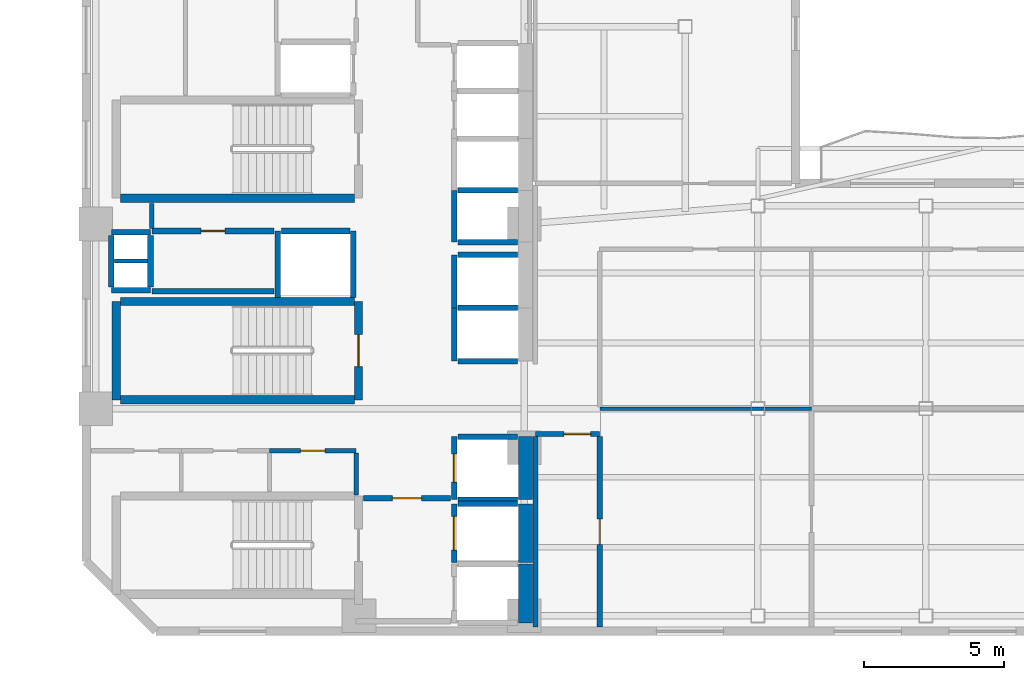
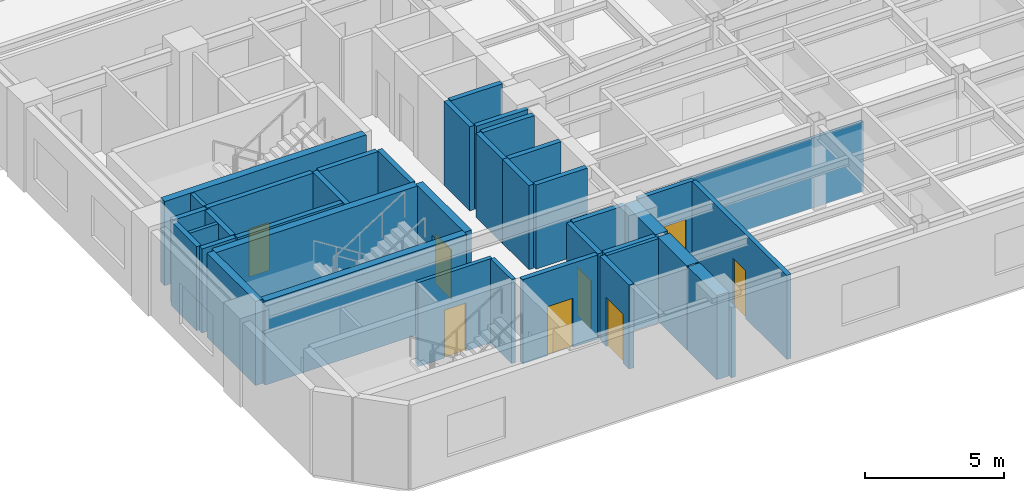
# One storey, part 3 of 9: 39 walls, 8 doors, 8 openings.
"""IFC4 building model written with IfcOpenShell, lengths in metres."""

from ifc_helpers import new_model, si_unit, direction, frame, frame_2d, origin, place, context, subcontext, project, spatial, rectangle, extrude, material, layer, layer_set, type_object, element, fill, save


model = new_model("IFC4")

# Units and contexts
model_context = context("Model", 3, precision=1e-05, world=origin(), true_north=direction((0.0, 1.0)))
body_context = subcontext(model_context, "Body", "Model", "MODEL_VIEW")
ifc_project = project(units=[si_unit("LENGTHUNIT", "METRE"), si_unit("AREAUNIT", "SQUARE_METRE"), si_unit("VOLUMEUNIT", "CUBIC_METRE"), si_unit("PLANEANGLEUNIT", "RADIAN"), si_unit("MASSUNIT", "GRAM", prefix="KILO")], contexts=[model_context])

# Site, building, storey
site_placement = place(None, origin())
site = spatial("IfcSite", under=ifc_project, at=site_placement, CompositionType="ELEMENT")
building_placement = place(site_placement, origin())
building = spatial("IfcBuilding", under=site, at=building_placement, Name="Mawjaban Terraces University", CompositionType="ELEMENT")
storey_placement = place(building_placement, frame((0.0, 0.0, 130.699951171875)))
storey = spatial("IfcBuildingStorey", under=building, at=storey_placement, Name="L31", CompositionType="ELEMENT", Elevation=130.699951171875)

# Wall, opening, door
ifc_material_1 = material(Name="Acoustic masonry blockwork", Category="masonry")
ifc_layer_1 = layer(ifc_material_1, 0.179931640625)
ifc_layer_set_1 = layer_set([ifc_layer_1], Name="Acoustic masonry blockwork")
wall_type_1 = type_object("IfcWallType", Name="AcousticStudioWall_180", PredefinedType="PARTITIONING", material=ifc_layer_set_1)
wall_1_placement = place(storey_placement, frame((38.050048828125, 7.050048828125, 0.0), z_axis=(0.0, 0.0, 1.0), x_axis=(1.0, 0.0, 0.0)))
wall_1 = element("IfcWall", 1, at=wall_1_placement, inside=storey, type_object=wall_type_1, Name="L31 Inner Gallery Link Corridor Partition 15", PredefinedType="PARTITIONING", context=body_context, shape_type="SweptSolid", body=[
    extrude(rectangle(XDim=2.300048828125, YDim=0.179931640625, at=frame_2d((1.14990234375, 0.0))), origin(), (0.0, 0.0, 1.0), 3.68994140625),
])
opening_1_placement = place(wall_1_placement, frame((1.02490234375, 0.0, 0.0)))
opening_1 = element("IfcOpeningElement", 2, at=opening_1_placement, cuts=wall_1, Name="Opening ID-095", PredefinedType="OPENING", context=body_context, shape_type="SweptSolid", body=[
    extrude(rectangle(XDim=0.949951171875, YDim=2.10009765625, at=frame_2d((0.47509765625, 1.050048828125))), frame((0.0, 0.099853515625, 0.0), z_axis=(0.0, -1.0, 0.0), x_axis=(1.0, 0.0, 0.0)), (0.0, 0.0, 1.0), 0.199951171875),
])
ifc_material_2 = material(Name="Powder-coated steel frame and solid acoustic timber leaf", Category="steel")
door_type_1 = type_object("IfcDoorType", Name="StudioDoor_950x2100", OperationType="NOTDEFINED", PredefinedType="DOOR", material=ifc_material_2)
door_1_placement = place(opening_1_placement, origin())
door_1 = element("IfcDoor", 3, at=door_1_placement, inside=storey, type_object=door_type_1, Name="L31 Media Workshop 1 Door", OperationType="SINGLE_SWING_LEFT", OverallHeight=2.10009765625, OverallWidth=0.949951171875, PredefinedType="DOOR", context=body_context, shape_type="SweptSolid", body=[
    extrude(rectangle(XDim=0.949951171875, YDim=2.10009765625, at=frame_2d((0.47509765625, 1.050048828125))), frame((0.0, 0.02490234375, 0.0), z_axis=(0.0, -1.0, 0.0), x_axis=(1.0, 0.0, 0.0)), (0.0, 0.0, 1.0), 0.050048828125),
])
fill(opening_1, door_1)

# Wall
wall_2_placement = place(storey_placement, frame((38.050048828125, 6.965087890625, 0.0), z_axis=(0.0, 0.0, 1.0), x_axis=(0.0, -1.0, 0.0)))
element("IfcWall", 4, at=wall_2_placement, inside=storey, type_object=wall_type_1, Name="L31 Media Workshop 1 Partition 39", PredefinedType="PARTITIONING", context=body_context, shape_type="SweptSolid", body=[
    extrude(rectangle(XDim=6.820068359375, YDim=0.179931640625, at=frame_2d((3.41015625, 0.0))), origin(), (0.0, 0.0, 1.0), 3.072998046875),
])

# Wall, opening, door
wall_3_placement = place(storey_placement, frame((40.35009765625, 0.14501953125, 0.0), z_axis=(0.0, 0.0, 1.0), x_axis=(0.0, 1.0, 0.0)))
wall_3 = element("IfcWall", 5, at=wall_3_placement, inside=storey, type_object=wall_type_1, Name="L31 Media Workshop 1 Partition 42", PredefinedType="PARTITIONING", context=body_context, shape_type="SweptSolid", body=[
    extrude(rectangle(XDim=6.820068359375, YDim=0.179931640625, at=frame_2d((3.41015625, 0.0))), origin(), (0.0, 0.0, 1.0), 3.68994140625),
])
opening_2_placement = place(wall_3_placement, frame((2.9599609375, 0.0, 0.0)))
opening_2 = element("IfcOpeningElement", 6, at=opening_2_placement, cuts=wall_3, Name="Opening ID-090", PredefinedType="OPENING", context=body_context, shape_type="SweptSolid", body=[
    extrude(rectangle(XDim=0.89990234375, YDim=2.10009765625, at=frame_2d((0.449951171875, 1.050048828125))), frame((0.0, 0.099853515625, 0.0), z_axis=(0.0, -1.0, 0.0), x_axis=(1.0, 0.0, 0.0)), (0.0, 0.0, 1.0), 0.199951171875),
])
door_type_2 = type_object("IfcDoorType", Name="OfficeDoor_900x2100", OperationType="NOTDEFINED", PredefinedType="DOOR", material=ifc_material_2)
door_2_placement = place(opening_2_placement, origin())
door_2 = element("IfcDoor", 7, at=door_2_placement, inside=storey, type_object=door_type_2, Name="L31 Quiet Reading Room 2 Door", OperationType="SINGLE_SWING_RIGHT", OverallHeight=2.10009765625, OverallWidth=0.89990234375, PredefinedType="DOOR", context=body_context, shape_type="SweptSolid", body=[
    extrude(rectangle(XDim=0.89990234375, YDim=2.10009765625, at=frame_2d((0.449951171875, 1.050048828125))), frame((0.0, 0.02490234375, 0.0), z_axis=(0.0, -1.0, 0.0), x_axis=(1.0, 0.0, 0.0)), (0.0, 0.0, 1.0), 0.050048828125),
])
fill(opening_2, door_2)

# Walls
ifc_material_3 = material(Name="Concrete C60/75", Category="concrete")
ifc_layer_2 = layer(ifc_material_3, 0.5)
ifc_layer_set_2 = layer_set([ifc_layer_2], Name="Concrete C60/75")
wall_type_2 = type_object("IfcWallType", Name="CoreShearWall_500", PredefinedType="SHEAR", material=ifc_layer_set_2)
wall_4_placement = place(storey_placement, frame((37.699951171875, 0.300048828125, 0.0), z_axis=(0.0, 0.0, 1.0), x_axis=(0.0, 1.0, 0.0)))
element("IfcWall", 8, at=wall_4_placement, inside=storey, type_object=wall_type_2, Name="L31 Lift FL-1 Hoistway Wall East", PredefinedType="SHEAR", context=body_context, shape_type="SweptSolid", body=[
    extrude(rectangle(XDim=2.099853515625, YDim=0.5, at=frame_2d((1.0498046875, 0.0))), origin(), (0.0, 0.0, 1.0), 3.68994140625),
])
wall_5_placement = place(storey_placement, frame((37.699951171875, 2.449951171875, 0.0), z_axis=(0.0, 0.0, 1.0), x_axis=(0.0, 1.0, 0.0)))
element("IfcWall", 9, at=wall_5_placement, inside=storey, type_object=wall_type_2, Name="L31 Lift FL-2 Hoistway Wall East", PredefinedType="SHEAR", context=body_context, shape_type="SweptSolid", body=[
    extrude(rectangle(XDim=2.10009765625, YDim=0.5, at=frame_2d((1.050048828125, 0.0))), origin(), (0.0, 0.0, 1.0), 3.68994140625),
])
wall_6_placement = place(storey_placement, frame((37.699951171875, 4.699951171875, 0.0), z_axis=(0.0, 0.0, 1.0), x_axis=(0.0, 1.0, 0.0)))
element("IfcWall", 10, at=wall_6_placement, inside=storey, type_object=wall_type_2, Name="L31 Lift SL-1 Hoistway Wall East", PredefinedType="SHEAR", context=body_context, shape_type="SweptSolid", body=[
    extrude(rectangle(XDim=2.25, YDim=0.5, at=frame_2d((1.125, 0.0))), origin(), (0.0, 0.0, 1.0), 3.68994140625),
])

# Wall, opening, door
ifc_material_4 = material(Name="Fire-rated gypsum board on steel stud", Category="steel")
ifc_layer_3 = layer(ifc_material_4, 0.159912109375)
ifc_layer_set_3 = layer_set([ifc_layer_3], Name="Fire-rated gypsum board on steel stud")
wall_type_3 = type_object("IfcWallType", Name="CorridorPartition_160", PredefinedType="PARTITIONING", material=ifc_layer_set_3)
wall_7_placement = place(storey_placement, frame((28.550048828125, 6.449951171875, 0.0), z_axis=(0.0, 0.0, 1.0), x_axis=(1.0, 0.0, 0.0)))
wall_7 = element("IfcWall", 11, at=wall_7_placement, inside=storey, type_object=wall_type_3, Name="L31 Core Washroom Lobby Partition 6", PredefinedType="PARTITIONING", context=body_context, shape_type="SweptSolid", body=[
    extrude(rectangle(XDim=3.099853515625, YDim=0.159912109375, at=frame_2d((1.5498046875, 0.0))), origin(), (0.0, 0.0, 1.0), 3.68994140625),
])
opening_3_placement = place(wall_7_placement, frame((1.110107421875, 0.0, 0.0)))
opening_3 = element("IfcOpeningElement", 12, at=opening_3_placement, cuts=wall_7, Name="Opening ID-088", PredefinedType="OPENING", context=body_context, shape_type="SweptSolid", body=[
    extrude(rectangle(XDim=0.8798828125, YDim=2.10009765625, at=frame_2d((0.43994140625, 1.050048828125))), frame((0.0, 0.08984375, 0.0), z_axis=(0.0, -1.0, 0.0), x_axis=(1.0, 0.0, 0.0)), (0.0, 0.0, 1.0), 0.179931640625),
])
door_type_3 = type_object("IfcDoorType", Name="ToiletDoor_880x2100", OperationType="NOTDEFINED", PredefinedType="DOOR", material=ifc_material_2)
door_3_placement = place(opening_3_placement, origin())
door_3 = element("IfcDoor", 13, at=door_3_placement, inside=storey, type_object=door_type_3, Name="L31 Accessible Toilet Door", OperationType="SINGLE_SWING_LEFT", OverallHeight=2.10009765625, OverallWidth=0.8798828125, PredefinedType="DOOR", context=body_context, shape_type="SweptSolid", body=[
    extrude(rectangle(XDim=0.8798828125, YDim=2.10009765625, at=frame_2d((0.43994140625, 1.050048828125))), frame((0.0, 0.02490234375, 0.0), z_axis=(0.0, -1.0, 0.0), x_axis=(1.0, 0.0, 0.0)), (0.0, 0.0, 1.0), 0.050048828125),
])
fill(opening_3, door_3)

# Walls
wall_8_placement = place(storey_placement, frame((24.35009765625, 15.2900390625, 0.0), z_axis=(0.0, 0.0, 1.0), x_axis=(0.0, -1.0, 0.0)))
element("IfcWall", 14, at=wall_8_placement, inside=storey, type_object=wall_type_3, Name="L31 Core Riser Access Passage Partition 26", PredefinedType="PARTITIONING", context=body_context, shape_type="SweptSolid", body=[
    extrude(rectangle(XDim=0.89501953125, YDim=0.159912109375, at=frame_2d((0.447509765625, 0.0))), origin(), (0.0, 0.0, 1.0), 3.68994140625),
])
wall_9_placement = place(storey_placement, frame((31.64990234375, 4.860107421875, 0.0), z_axis=(0.0, 0.0, 1.0), x_axis=(0.0, 1.0, 0.0)))
element("IfcWall", 15, at=wall_9_placement, inside=storey, type_object=wall_type_3, Name="L31 Accessible Toilet Partition 31", PredefinedType="PARTITIONING", context=body_context, shape_type="SweptSolid", body=[
    extrude(rectangle(XDim=1.514892578125, YDim=0.159912109375, at=frame_2d((0.75732421875, 0.0))), origin(), (0.0, 0.0, 1.0), 3.68994140625),
])

# Wall, opening, door
ifc_material_5 = material(Name="Concrete C40/50", Category="concrete")
ifc_layer_4 = layer(ifc_material_5, 0.199951171875)
ifc_layer_set_4 = layer_set([ifc_layer_4], Name="Concrete C40/50")
wall_type_4 = type_object("IfcWallType", Name="FireLobbyWall_200", PredefinedType="SOLIDWALL", material=ifc_layer_set_4)
wall_10_placement = place(storey_placement, frame((35.14990234375, 4.550048828125, 0.0), z_axis=(0.0, 0.0, 1.0), x_axis=(0.0, -1.0, 0.0)))
wall_10 = element("IfcWall", 16, at=wall_10_placement, inside=storey, type_object=wall_type_4, Name="L31 Lift FL-2 Hoistway Wall West", PredefinedType="SOLIDWALL", context=body_context, shape_type="SweptSolid", body=[
    extrude(rectangle(XDim=2.10009765625, YDim=0.199951171875, at=frame_2d((1.050048828125, 0.0))), origin(), (0.0, 0.0, 1.0), 3.68994140625),
])
opening_4_placement = place(wall_10_placement, frame((0.449951171875, 0.0, 0.0)))
opening_4 = element("IfcOpeningElement", 17, at=opening_4_placement, cuts=wall_10, Name="Opening LD-FL-2", PredefinedType="OPENING", context=body_context, shape_type="SweptSolid", body=[
    extrude(rectangle(XDim=1.199951171875, YDim=2.14990234375, at=frame_2d((0.60009765625, 1.074951171875))), frame((0.0, 0.10986328125, 0.0), z_axis=(0.0, -1.0, 0.0), x_axis=(1.0, 0.0, 0.0)), (0.0, 0.0, 1.0), 0.219970703125),
])
ifc_material_6 = material(Name="Powder-coated steel frame and fire-rated steel-faced leaf", Category="steel")
door_type_4 = type_object("IfcDoorType", Name="LiftLandingFSAE_1200x2150", OperationType="NOTDEFINED", PredefinedType="DOOR", material=ifc_material_6)
door_4_placement = place(opening_4_placement, origin())
door_4 = element("IfcDoor", 18, at=door_4_placement, inside=storey, type_object=door_type_4, Name="L31 Lift FL-2 Sliding Landing Door", OperationType="DOUBLE_DOOR_SLIDING", OverallHeight=2.14990234375, OverallWidth=1.199951171875, PredefinedType="DOOR", context=body_context, shape_type="SweptSolid", body=[
    extrude(rectangle(XDim=1.199951171875, YDim=2.14990234375, at=frame_2d((0.60009765625, 1.074951171875))), frame((0.0, 0.02490234375, 0.0), z_axis=(0.0, -1.0, 0.0), x_axis=(1.0, 0.0, 0.0)), (0.0, 0.0, 1.0), 0.050048828125),
])
fill(opening_4, door_4)

# Wall
wall_11_placement = place(storey_placement, frame((37.419921875, 4.550048828125, 0.0), z_axis=(0.0, 0.0, 1.0), x_axis=(-1.0, 0.0, 0.0)))
element("IfcWall", 19, at=wall_11_placement, inside=storey, type_object=wall_type_4, Name="L31 Lift FL-2 Hoistway Wall North", PredefinedType="SOLIDWALL", context=body_context, shape_type="SweptSolid", body=[
    extrude(rectangle(XDim=2.139892578125, YDim=0.199951171875, at=frame_2d((1.06982421875, 0.0))), origin(), (0.0, 0.0, 1.0), 3.68994140625),
])

# Wall, opening, door
wall_12_placement = place(storey_placement, frame((35.14990234375, 6.949951171875, 0.0), z_axis=(0.0, 0.0, 1.0), x_axis=(0.0, -1.0, 0.0)))
wall_12 = element("IfcWall", 20, at=wall_12_placement, inside=storey, type_object=wall_type_4, Name="L31 Lift SL-1 Hoistway Wall West", PredefinedType="SOLIDWALL", context=body_context, shape_type="SweptSolid", body=[
    extrude(rectangle(XDim=2.25, YDim=0.199951171875, at=frame_2d((1.125, 0.0))), origin(), (0.0, 0.0, 1.0), 3.68994140625),
])
opening_5_placement = place(wall_12_placement, frame((0.625, 0.0, 0.0)))
opening_5 = element("IfcOpeningElement", 21, at=opening_5_placement, cuts=wall_12, Name="Opening LD-SL-1", PredefinedType="OPENING", context=body_context, shape_type="SweptSolid", body=[
    extrude(rectangle(XDim=1.0, YDim=2.10009765625, at=frame_2d((0.5, 1.050048828125))), frame((0.0, 0.10986328125, 0.0), z_axis=(0.0, -1.0, 0.0), x_axis=(1.0, 0.0, 0.0)), (0.0, 0.0, 1.0), 0.219970703125),
])
door_type_5 = type_object("IfcDoorType", Name="LiftLandingSliding_1000x2100", OperationType="NOTDEFINED", PredefinedType="DOOR", material=ifc_material_6)
door_5_placement = place(opening_5_placement, origin())
door_5 = element("IfcDoor", 22, at=door_5_placement, inside=storey, type_object=door_type_5, Name="L31 Lift SL-1 Sliding Landing Door", OperationType="DOUBLE_DOOR_SLIDING", OverallHeight=2.10009765625, OverallWidth=1.0, PredefinedType="DOOR", context=body_context, shape_type="SweptSolid", body=[
    extrude(rectangle(XDim=1.0, YDim=2.10009765625, at=frame_2d((0.5, 1.050048828125))), frame((0.0, 0.02490234375, 0.0), z_axis=(0.0, -1.0, 0.0), x_axis=(1.0, 0.0, 0.0)), (0.0, 0.0, 1.0), 0.050048828125),
])
fill(opening_5, door_5)

# Walls
for number, where, z_axis, x_axis, name in (
    (23, (35.280029296875, 4.699951171875, 0.0), (0.0, 0.0, 1.0), (1.0, 0.0, 0.0), "L31 Lift SL-1 Hoistway Wall South"),
    (24, (37.419921875, 6.949951171875, 0.0), (0.0, 0.0, 1.0), (-1.0, 0.0, 0.0), "L31 Lift SL-1 Hoistway Wall North"),
):
    element("IfcWall", number, at=place(storey_placement, frame(where, z_axis=z_axis, x_axis=x_axis)), inside=storey, type_object=wall_type_4, Name=name, PredefinedType="SOLIDWALL", context=body_context, shape_type="SweptSolid", body=[
        extrude(rectangle(XDim=2.139892578125, YDim=0.199951171875, at=frame_2d((1.06982421875, 0.0))), origin(), (0.0, 0.0, 1.0), 3.68994140625),
    ])
wall_13_placement = place(storey_placement, frame((35.14990234375, 11.550048828125, 0.0), z_axis=(0.0, 0.0, 1.0), x_axis=(0.0, -1.0, 0.0)))
element("IfcWall", 25, at=wall_13_placement, inside=storey, type_object=wall_type_4, Name="L31 Lift PL-H1 Hoistway Wall West", PredefinedType="SOLIDWALL", context=body_context, shape_type="SweptSolid", body=[
    extrude(rectangle(XDim=1.900146484375, YDim=0.199951171875, at=frame_2d((0.9501953125, 0.0))), origin(), (0.0, 0.0, 1.0), 3.68994140625),
])
for number, where, z_axis, x_axis, name in (
    (26, (35.280029296875, 9.64990234375, 0.0), (0.0, 0.0, 1.0), (1.0, 0.0, 0.0), "L31 Lift PL-H1 Hoistway Wall South"),
    (27, (37.419921875, 11.550048828125, 0.0), (0.0, 0.0, 1.0), (-1.0, 0.0, 0.0), "L31 Lift PL-H1 Hoistway Wall North"),
):
    element("IfcWall", number, at=place(storey_placement, frame(where, z_axis=z_axis, x_axis=x_axis)), inside=storey, type_object=wall_type_4, Name=name, PredefinedType="SOLIDWALL", context=body_context, shape_type="SweptSolid", body=[
        extrude(rectangle(XDim=2.139892578125, YDim=0.199951171875, at=frame_2d((1.06982421875, 0.0))), origin(), (0.0, 0.0, 1.0), 3.68994140625),
    ])
wall_14_placement = place(storey_placement, frame((35.14990234375, 13.449951171875, 0.0), z_axis=(0.0, 0.0, 1.0), x_axis=(0.0, -1.0, 0.0)))
element("IfcWall", 28, at=wall_14_placement, inside=storey, type_object=wall_type_4, Name="L31 Lift PL-H2 Hoistway Wall West", PredefinedType="SOLIDWALL", context=body_context, shape_type="SweptSolid", body=[
    extrude(rectangle(XDim=1.89990234375, YDim=0.199951171875, at=frame_2d((0.949951171875, 0.0))), origin(), (0.0, 0.0, 1.0), 3.68994140625),
])
wall_15_placement = place(storey_placement, frame((37.419921875, 13.449951171875, 0.0), z_axis=(0.0, 0.0, 1.0), x_axis=(-1.0, 0.0, 0.0)))
element("IfcWall", 29, at=wall_15_placement, inside=storey, type_object=wall_type_4, Name="L31 Lift PL-H2 Hoistway Wall North", PredefinedType="SOLIDWALL", context=body_context, shape_type="SweptSolid", body=[
    extrude(rectangle(XDim=2.139892578125, YDim=0.199951171875, at=frame_2d((1.06982421875, 0.0))), origin(), (0.0, 0.0, 1.0), 3.68994140625),
])
for number, where, z_axis, x_axis, name in (
    (30, (28.85009765625, 14.300048828125, 0.0), (0.0, 0.0, 1.0), (0.0, -1.0, 0.0), "L31 Lift PL-H3 Hoistway Wall West"),
    (31, (31.550048828125, 11.929931640625, 0.0), (0.0, 0.0, 1.0), (0.0, 1.0, 0.0), "L31 Lift PL-H3 Hoistway Wall East"),
):
    element("IfcWall", number, at=place(storey_placement, frame(where, z_axis=z_axis, x_axis=x_axis)), inside=storey, type_object=wall_type_4, Name=name, PredefinedType="SOLIDWALL", context=body_context, shape_type="SweptSolid", body=[
        extrude(rectangle(XDim=2.3701171875, YDim=0.199951171875, at=frame_2d((1.18505859375, 0.0))), origin(), (0.0, 0.0, 1.0), 3.68994140625),
    ])
wall_16_placement = place(storey_placement, frame((31.419921875, 14.300048828125, 0.0), z_axis=(0.0, 0.0, 1.0), x_axis=(-1.0, 0.0, 0.0)))
element("IfcWall", 32, at=wall_16_placement, inside=storey, type_object=wall_type_4, Name="L31 Lift PL-H3 Hoistway Wall North", PredefinedType="SOLIDWALL", context=body_context, shape_type="SweptSolid", body=[
    extrude(rectangle(XDim=2.43994140625, YDim=0.199951171875, at=frame_2d((1.219970703125, 0.0))), origin(), (0.0, 0.0, 1.0), 3.68994140625),
])
wall_17_placement = place(storey_placement, frame((35.14990234375, 15.75, 0.0), z_axis=(0.0, 0.0, 1.0), x_axis=(0.0, -1.0, 0.0)))
element("IfcWall", 33, at=wall_17_placement, inside=storey, type_object=wall_type_4, Name="L31 Lift OL-1 Hoistway Wall West", PredefinedType="SOLIDWALL", context=body_context, shape_type="SweptSolid", body=[
    extrude(rectangle(XDim=1.85009765625, YDim=0.199951171875, at=frame_2d((0.925048828125, 0.0))), origin(), (0.0, 0.0, 1.0), 3.68994140625),
])
for number, where, z_axis, x_axis, name in (
    (34, (35.280029296875, 13.89990234375, 0.0), (0.0, 0.0, 1.0), (1.0, 0.0, 0.0), "L31 Lift OL-1 Hoistway Wall South"),
    (35, (37.419921875, 15.75, 0.0), (0.0, 0.0, 1.0), (-1.0, 0.0, 0.0), "L31 Lift OL-1 Hoistway Wall North"),
):
    element("IfcWall", number, at=place(storey_placement, frame(where, z_axis=z_axis, x_axis=x_axis)), inside=storey, type_object=wall_type_4, Name=name, PredefinedType="SOLIDWALL", context=body_context, shape_type="SweptSolid", body=[
        extrude(rectangle(XDim=2.139892578125, YDim=0.199951171875, at=frame_2d((1.06982421875, 0.0))), origin(), (0.0, 0.0, 1.0), 3.68994140625),
    ])
for number, where, z_axis, x_axis, name in (
    (36, (22.89990234375, 14.25, 0.0), (0.0, 0.0, 1.0), (1.0, 0.0, 0.0), "L31 MEP Riser Shaft Wall N"),
    (37, (22.89990234375, 12.179931640625, 0.0), (0.0, 0.0, 1.0), (1.0, 0.0, 0.0), "L31 MEP Riser Shaft Wall S"),
):
    element("IfcWall", number, at=place(storey_placement, frame(where, z_axis=z_axis, x_axis=x_axis)), inside=storey, type_object=wall_type_4, Name=name, PredefinedType="SOLIDWALL", context=body_context, shape_type="SweptSolid", body=[
        extrude(rectangle(XDim=1.400146484375, YDim=0.199951171875, at=frame_2d((0.7001953125, 0.0))), origin(), (0.0, 0.0, 1.0), 3.68994140625),
    ])
for number, where, z_axis, x_axis, name in (
    (38, (24.300048828125, 12.300048828125, 0.0), (0.0, 0.0, 1.0), (0.0, 1.0, 0.0), "L31 MEP Riser Shaft Wall E"),
    (39, (22.89990234375, 12.300048828125, 0.0), (0.0, 0.0, 1.0), (0.0, 1.0, 0.0), "L31 MEP Riser Shaft Wall W"),
):
    element("IfcWall", number, at=place(storey_placement, frame(where, z_axis=z_axis, x_axis=x_axis)), inside=storey, type_object=wall_type_4, Name=name, PredefinedType="SOLIDWALL", context=body_context, shape_type="SweptSolid", body=[
        extrude(rectangle(XDim=1.829833984375, YDim=0.199951171875, at=frame_2d((0.9150390625, 0.0))), origin(), (0.0, 0.0, 1.0), 3.68994140625),
    ])
wall_18_placement = place(storey_placement, frame((24.35009765625, 12.14990234375, 0.0), z_axis=(0.0, 0.0, 1.0), x_axis=(1.0, 0.0, 0.0)))
element("IfcWall", 40, at=wall_18_placement, inside=storey, type_object=wall_type_4, Name="L31 IT and Telecoms Riser Room Partition 2", PredefinedType="SOLIDWALL", context=body_context, shape_type="SweptSolid", body=[
    extrude(rectangle(XDim=4.369873046875, YDim=0.199951171875, at=frame_2d((2.18505859375, 0.0))), origin(), (0.0, 0.0, 1.0), 3.68994140625),
])

# Wall, opening, door
wall_19_placement = place(storey_placement, frame((24.35009765625, 14.300048828125, 0.0), z_axis=(0.0, 0.0, 1.0), x_axis=(1.0, 0.0, 0.0)))
wall_19 = element("IfcWall", 41, at=wall_19_placement, inside=storey, type_object=wall_type_4, Name="L31 Core Riser Access Passage Partition 3", PredefinedType="SOLIDWALL", context=body_context, shape_type="SweptSolid", body=[
    extrude(rectangle(XDim=4.369873046875, YDim=0.199951171875, at=frame_2d((2.18505859375, 0.0))), origin(), (0.0, 0.0, 1.0), 3.68994140625),
])
opening_6_placement = place(wall_19_placement, frame((1.760009765625, 0.0, 0.0)))
opening_6 = element("IfcOpeningElement", 42, at=opening_6_placement, cuts=wall_19, Name="Opening FD-085", PredefinedType="OPENING", context=body_context, shape_type="SweptSolid", body=[
    extrude(rectangle(XDim=0.85009765625, YDim=2.10009765625, at=frame_2d((0.425048828125, 1.050048828125))), frame((0.0, 0.10986328125, 0.0), z_axis=(0.0, -1.0, 0.0), x_axis=(1.0, 0.0, 0.0)), (0.0, 0.0, 1.0), 0.219970703125),
])
door_type_6 = type_object("IfcDoorType", Name="FireRiserDoor_850x2100", OperationType="NOTDEFINED", PredefinedType="DOOR", material=ifc_material_6)
door_6_placement = place(opening_6_placement, origin())
door_6 = element("IfcDoor", 43, at=door_6_placement, inside=storey, type_object=door_type_6, Name="L31 IT and Telecoms Riser Room Door", OperationType="SINGLE_SWING_RIGHT", OverallHeight=2.10009765625, OverallWidth=0.85009765625, PredefinedType="DOOR", context=body_context, shape_type="SweptSolid", body=[
    extrude(rectangle(XDim=0.85009765625, YDim=2.10009765625, at=frame_2d((0.425048828125, 1.050048828125))), frame((0.0, 0.02490234375, 0.0), z_axis=(0.0, -1.0, 0.0), x_axis=(1.0, 0.0, 0.0)), (0.0, 0.0, 1.0), 0.050048828125),
])
fill(opening_6, door_6)

wall_20_placement = place(storey_placement, frame((35.02001953125, 4.75, 0.0), z_axis=(0.0, 0.0, 1.0), x_axis=(-1.0, 0.0, 0.0)))
wall_20 = element("IfcWall", 44, at=wall_20_placement, inside=storey, type_object=wall_type_4, Name="L31 Firefighting Lift Lobby Partition 10", PredefinedType="SOLIDWALL", context=body_context, shape_type="SweptSolid", body=[
    extrude(rectangle(XDim=3.110107421875, YDim=0.199951171875, at=frame_2d((1.55517578125, 0.0))), origin(), (0.0, 0.0, 1.0), 3.68994140625),
])
opening_7_placement = place(wall_20_placement, frame((1.030029296875, 0.0, 0.0)))
opening_7 = element("IfcOpeningElement", 45, at=opening_7_placement, cuts=wall_20, Name="Opening FD-105", PredefinedType="OPENING", context=body_context, shape_type="SweptSolid", body=[
    extrude(rectangle(XDim=1.050048828125, YDim=2.14990234375, at=frame_2d((0.52490234375, 1.074951171875))), frame((0.0, 0.10986328125, 0.0), z_axis=(0.0, -1.0, 0.0), x_axis=(1.0, 0.0, 0.0)), (0.0, 0.0, 1.0), 0.219970703125),
])
door_type_7 = type_object("IfcDoorType", Name="FireLobbyDoor_1050x2150", OperationType="NOTDEFINED", PredefinedType="DOOR", material=ifc_material_6)
door_7_placement = place(opening_7_placement, origin())
door_7 = element("IfcDoor", 46, at=door_7_placement, inside=storey, type_object=door_type_7, Name="L31 Firefighting Lift Lobby Door", OperationType="SINGLE_SWING_RIGHT", OverallHeight=2.14990234375, OverallWidth=1.050048828125, PredefinedType="DOOR", context=body_context, shape_type="SweptSolid", body=[
    extrude(rectangle(XDim=1.050048828125, YDim=2.14990234375, at=frame_2d((0.52490234375, 1.074951171875))), frame((0.0, 0.02490234375, 0.0), z_axis=(0.0, -1.0, 0.0), x_axis=(1.0, 0.0, 0.0)), (0.0, 0.0, 1.0), 0.050048828125),
])
fill(opening_7, door_7)

# Walls
ifc_material_7 = material(Name="Moisture-resistant gypsum board on steel stud", Category="steel")
ifc_layer_5 = layer(ifc_material_7, 0.14501953125)
ifc_layer_set_5 = layer_set([ifc_layer_5], Name="Moisture-resistant gypsum board on steel stud")
wall_type_5 = type_object("IfcWallType", Name="LabPartition_145", PredefinedType="PARTITIONING", material=ifc_layer_set_5)
wall_21_placement = place(storey_placement, frame((23.010009765625, 13.22509765625, 0.0), z_axis=(0.0, 0.0, 1.0), x_axis=(1.0, 0.0, 0.0)))
element("IfcWall", 47, at=wall_21_placement, inside=storey, type_object=wall_type_5, Name="L31 MEP Riser Shaft Wall M", PredefinedType="PARTITIONING", context=body_context, shape_type="SweptSolid", body=[
    extrude(rectangle(XDim=1.179931640625, YDim=0.14501953125, at=frame_2d((0.58984375, 0.0))), origin(), (0.0, 0.0, 1.0), 3.68994140625),
])
ifc_material_8 = material(Name="Gypsum plasterboard on steel stud", Category="steel")
ifc_layer_6 = layer(ifc_material_8, 0.125)
ifc_layer_set_6 = layer_set([ifc_layer_6], Name="Gypsum plasterboard on steel stud")
wall_type_6 = type_object("IfcWallType", Name="OfficePartition_125", PredefinedType="PARTITIONING", material=ifc_layer_set_6)
wall_22_placement = place(storey_placement, frame((47.909912109375, 7.949951171875, 0.0), z_axis=(0.0, 0.0, 1.0), x_axis=(-1.0, 0.0, 0.0)))
element("IfcWall", 48, at=wall_22_placement, inside=storey, type_object=wall_type_6, Name="L31 Quiet Reading Room 2 Partition 19", PredefinedType="PARTITIONING", context=body_context, shape_type="SweptSolid", body=[
    extrude(rectangle(XDim=7.559814453125, YDim=0.125, at=frame_2d((3.77978515625, 0.0))), origin(), (0.0, 0.0, 1.0), 3.072998046875),
])
ifc_layer_7 = layer(ifc_material_3, 0.300048828125)
ifc_layer_set_7 = layer_set([ifc_layer_7], Name="Concrete C60/75")
wall_type_7 = type_object("IfcWallType", Name="StairShaftWall_300", PredefinedType="SHEAR", material=ifc_layer_set_7)
for number, where, z_axis, x_axis, name in (
    (49, (23.219970703125, 15.469970703125, 0.0), (0.0, 0.0, 1.0), (1.0, 0.0, 0.0), "L31 ST-2 Stair Shaft Wall 3"),
    (50, (31.580078125, 11.780029296875, 0.0), (0.0, 0.0, 1.0), (-1.0, 0.0, 0.0), "L31 ST-3 Stair Shaft Wall 1"),
):
    element("IfcWall", number, at=place(storey_placement, frame(where, z_axis=z_axis, x_axis=x_axis)), inside=storey, type_object=wall_type_7, Name=name, PredefinedType="SHEAR", context=body_context, shape_type="SweptSolid", body=[
        extrude(rectangle(XDim=8.360107421875, YDim=0.300048828125, at=frame_2d((4.18017578125, 0.0))), origin(), (0.0, 0.0, 1.0), 3.68994140625),
    ])
wall_23_placement = place(storey_placement, frame((23.070068359375, 11.780029296875, 0.0), z_axis=(0.0, 0.0, 1.0), x_axis=(0.0, -1.0, 0.0)))
element("IfcWall", 51, at=wall_23_placement, inside=storey, type_object=wall_type_7, Name="L31 ST-3 Stair Shaft Wall 2", PredefinedType="SHEAR", context=body_context, shape_type="SweptSolid", body=[
    extrude(rectangle(XDim=3.510009765625, YDim=0.300048828125, at=frame_2d((1.7548828125, 0.0))), origin(), (0.0, 0.0, 1.0), 3.68994140625),
])
wall_24_placement = place(storey_placement, frame((23.219970703125, 8.27001953125, 0.0), z_axis=(0.0, 0.0, 1.0), x_axis=(1.0, 0.0, 0.0)))
element("IfcWall", 52, at=wall_24_placement, inside=storey, type_object=wall_type_7, Name="L31 ST-3 Stair Shaft Wall 3", PredefinedType="SHEAR", context=body_context, shape_type="SweptSolid", body=[
    extrude(rectangle(XDim=8.360107421875, YDim=0.300048828125, at=frame_2d((4.18017578125, 0.0))), origin(), (0.0, 0.0, 1.0), 3.68994140625),
])

# Wall, opening, door
wall_25_placement = place(storey_placement, frame((31.72998046875, 8.27001953125, 0.0), z_axis=(0.0, 0.0, 1.0), x_axis=(0.0, 1.0, 0.0)))
wall_25 = element("IfcWall", 53, at=wall_25_placement, inside=storey, type_object=wall_type_7, Name="L31 ST-3 Stair Shaft Wall 4", PredefinedType="SHEAR", context=body_context, shape_type="SweptSolid", body=[
    extrude(rectangle(XDim=3.510009765625, YDim=0.300048828125, at=frame_2d((1.7548828125, 0.0))), origin(), (0.0, 0.0, 1.0), 3.68994140625),
])
opening_8_placement = place(wall_25_placement, frame((1.179931640625, 0.0, 0.0)))
opening_8 = element("IfcOpeningElement", 54, at=opening_8_placement, cuts=wall_25, Name="Opening FD-115", PredefinedType="OPENING", context=body_context, shape_type="SweptSolid", body=[
    extrude(rectangle(XDim=1.14990234375, YDim=2.14990234375, at=frame_2d((0.574951171875, 1.074951171875))), frame((0.0, 0.159912109375, 0.0), z_axis=(0.0, -1.0, 0.0), x_axis=(1.0, 0.0, 0.0)), (0.0, 0.0, 1.0), 0.320068359375),
])
door_type_8 = type_object("IfcDoorType", Name="FireStairDoor_1150x2150", OperationType="NOTDEFINED", PredefinedType="DOOR", material=ifc_material_6)
door_8_placement = place(opening_8_placement, origin())
door_8 = element("IfcDoor", 55, at=door_8_placement, inside=storey, type_object=door_type_8, Name="L31 ST-3 Pressurised Stair Fire Door", OperationType="SINGLE_SWING_LEFT", OverallHeight=2.14990234375, OverallWidth=1.14990234375, PredefinedType="DOOR", context=body_context, shape_type="SweptSolid", body=[
    extrude(rectangle(XDim=1.14990234375, YDim=2.14990234375, at=frame_2d((0.574951171875, 1.074951171875))), frame((0.0, 0.02490234375, 0.0), z_axis=(0.0, -1.0, 0.0), x_axis=(1.0, 0.0, 0.0)), (0.0, 0.0, 1.0), 0.050048828125),
])
fill(opening_8, door_8)

save(model, "model.ifc")
